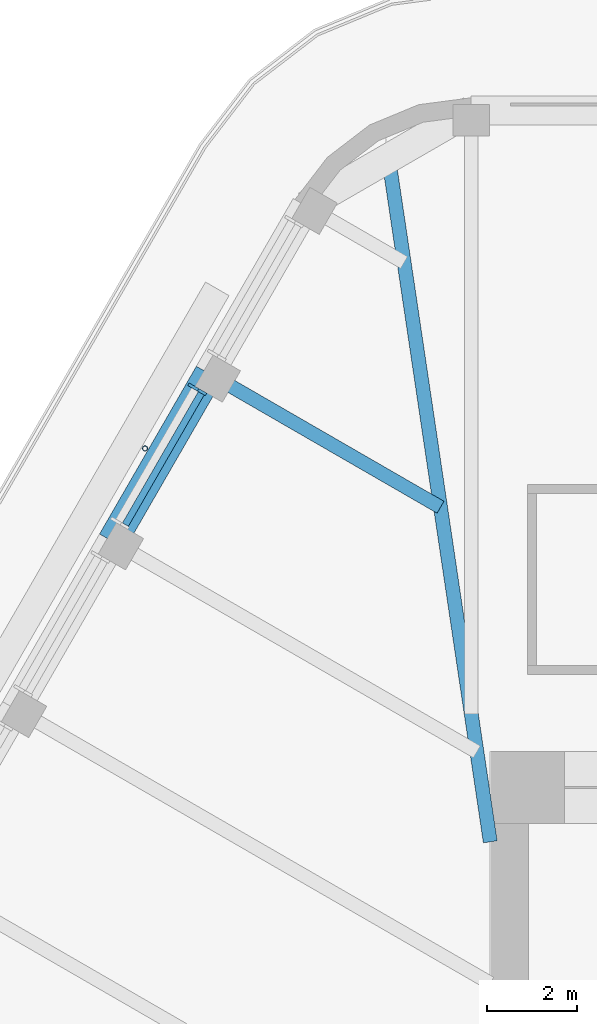
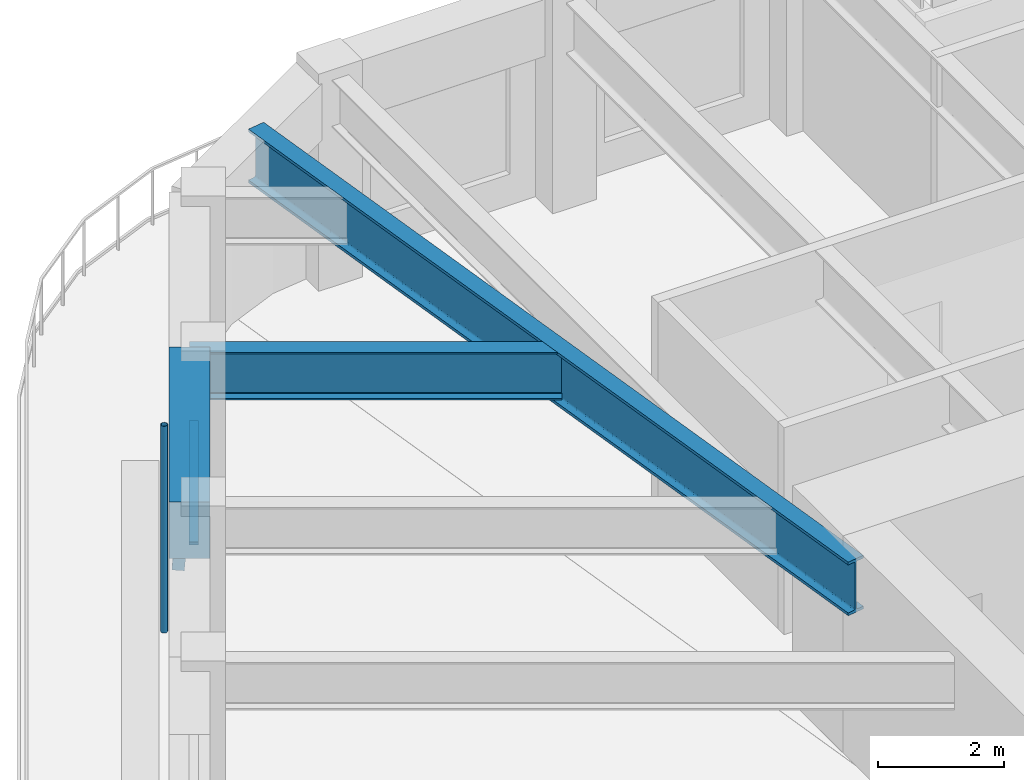
# One storey, part 8 of 19: 3 beams, 3 members, 1 element without a shape of its own.
"""IFC4 building model written with IfcOpenShell, lengths in metres."""

from ifc_helpers import new_model, si_unit, direction, frame, origin, origin_2d, place, context, subcontext, project, spatial, rectangle, hollow_circle, i_section, extrude, material, material_profile, profile_set, type_object, element, aggregate, save


model = new_model("IFC4")

# Units and contexts
model_context = context("Model", 3, precision=1e-05, world=origin(), true_north=direction((0.0, 1.0)))
body_context = subcontext(model_context, "Body", "Model", "MODEL_VIEW")
ifc_project = project(units=[si_unit("LENGTHUNIT", "METRE"), si_unit("AREAUNIT", "SQUARE_METRE"), si_unit("VOLUMEUNIT", "CUBIC_METRE"), si_unit("PLANEANGLEUNIT", "RADIAN"), si_unit("MASSUNIT", "GRAM", prefix="KILO")], contexts=[model_context])

# Site, building, storey
site_placement = place(None, origin())
site = spatial("IfcSite", under=ifc_project, at=site_placement, CompositionType="ELEMENT")
building_placement = place(site_placement, origin())
building = spatial("IfcBuilding", under=site, at=building_placement, Name="Tarfa Lantern Tower", CompositionType="ELEMENT")
storey_placement = place(building_placement, frame((0.0, 0.0, 374.5)))
storey = spatial("IfcBuildingStorey", under=building, at=storey_placement, Name="L85", CompositionType="ELEMENT", Elevation=374.5)

# Curtain wall, members
ifc_material_1 = material(Name="Aluminium framed curtain wall", Category="aluminium")
curtain_wall_type = type_object("IfcCurtainWallType", Name="CW4 CANTED GLAZING EXECUTIVE ZONE 2900", PredefinedType="USERDEFINED", material=ifc_material_1)
curtain_wall_placement = place(storey_placement, origin())
curtain_wall = element("IfcCurtainWall", 1, at=curtain_wall_placement, inside=storey, type_object=curtain_wall_type, Name="CW4 NW L85", ObjectType="CURTAIN WALL", PredefinedType="USERDEFINED")
ifc_material_2 = material(Name="Aluminium mullion", Category="aluminium")
ifc_material_profile_1 = material_profile(ifc_material_2, rectangle(XDim=0.06494140625, YDim=0.199951171875, at=origin_2d()), Name="AL MULLION 65x200")
ifc_profile_set_1 = profile_set([ifc_material_profile_1], Name="Aluminium mullion")
member_type_1 = type_object("IfcMemberType", Name="CWM1 MULLION 65x200", PredefinedType="MULLION", material=ifc_profile_set_1)
member_1_placement = place(storey_placement, frame((-19.013916015625, 20.3671875, 0.0), z_axis=(0.074399820079, -0.042945555672, 0.996303340364), x_axis=(0.499919672301, 0.866071776036, 0.0)))
member_1 = element("IfcMember", 2, at=member_1_placement, type_object=member_type_1, Name="CW4 mullion 1", PredefinedType="MULLION", context=body_context, shape_type="SweptSolid", body=[
    extrude(rectangle(XDim=0.06494140625, YDim=0.199951171875, at=origin_2d()), origin(), (0.0, 0.0, 1.0), 2.91064453125),
])
ifc_material_3 = material(Name="Aluminium transom", Category="aluminium")
ifc_material_profile_2 = material_profile(ifc_material_3, rectangle(XDim=0.14990234375, YDim=0.06494140625, at=origin_2d()), Name="AL TRANSOM 150x65")
ifc_profile_set_2 = profile_set([ifc_material_profile_2], Name="Aluminium transom")
member_type_2 = type_object("IfcMemberType", Name="CWT1 TRANSOM 150x65", PredefinedType="USERDEFINED", material=ifc_profile_set_2)
member_2_placement = place(storey_placement, frame((-18.81591796875, 20.21533203125, 2.867431640625), z_axis=(-0.500016677412, -0.866015774862, 0.0), x_axis=(0.866015774862, -0.500016677412, 0.0)))
member_2 = element("IfcMember", 3, at=member_2_placement, type_object=member_type_2, Name="CW4 transom 1.2", ObjectType="TRANSOM", PredefinedType="USERDEFINED", context=body_context, shape_type="SweptSolid", body=[
    extrude(rectangle(XDim=0.14990234375, YDim=0.06494140625, at=origin_2d()), origin(), (0.0, 0.0, 1.0), 3.35205078125),
])
aggregate(curtain_wall, [member_1, member_2])

# Beam
ifc_material_4 = material(Name="Concrete C80/95", Category="concrete")
ifc_material_profile_3 = material_profile(ifc_material_4, rectangle(XDim=0.64990234375, YDim=1.10009765625, at=origin_2d()), Name="RC 650x1100")
ifc_profile_set_3 = profile_set([ifc_material_profile_3], Name="Concrete C80/95")
beam_type_1 = type_object("IfcBeamType", Name="EB4 RC 650x1100", PredefinedType="SPANDREL", material=ifc_profile_set_3)
beam_1_placement = place(storey_placement, frame((-18.6416015625, 20.651611328125, 3.449951171875), z_axis=(-0.500026801138, -0.866009929587, 0.0), x_axis=(0.866009929587, -0.500026801138, 0.0)))
element("IfcBeam", 4, at=beam_1_placement, inside=storey, type_object=beam_type_1, Name="Edge beam NW1", PredefinedType="SPANDREL", context=body_context, shape_type="SweptSolid", body=[
    extrude(rectangle(XDim=0.64990234375, YDim=1.10009765625, at=origin_2d()), origin(), (0.0, 0.0, 1.0), 4.281982421875),
])

# Member
ifc_material_5 = material(Name="Steel S355", Category="steel")
ifc_material_profile_4 = material_profile(ifc_material_5, hollow_circle(Radius=0.05712890625, WallThickness=0.00634765625, at=origin_2d()), Name="CHS114.3x6.3")
ifc_profile_set_4 = profile_set([ifc_material_profile_4], Name="Steel S355")
member_type_3 = type_object("IfcMemberType", Name="TR1 GREEN WALL TRELLIS CHS114.3x6.3", PredefinedType="USERDEFINED", material=ifc_profile_set_4)
member_3_placement = place(storey_placement, frame((-20.05859375, 18.99755859375, 0.0), z_axis=(0.0, 0.0, 1.0), x_axis=(1.0, 0.0, 0.0)))
element("IfcMember", 5, at=member_3_placement, inside=storey, type_object=member_type_3, Name="Trellis post NW 1", ObjectType="TRELLIS", PredefinedType="USERDEFINED", context=body_context, shape_type="SweptSolid", body=[
    extrude(hollow_circle(Radius=0.05712890625, WallThickness=0.00634765625, at=origin_2d()), origin(), (0.0, 0.0, 1.0), 4.0),
])

# Beams
ifc_material_6 = material(Name="Steel S460M", Category="steel")
ifc_material_profile_5 = material_profile(ifc_material_6, i_section(OverallWidth=0.30859375, OverallDepth=1.036376953125, WebThickness=0.030029296875, FlangeThickness=0.05419921875, FilletRadius=0.030029296875, at=origin_2d()), Name="UB1016x305x487")
ifc_profile_set_5 = profile_set([ifc_material_profile_5], Name="Steel S460M")
beam_type_2 = type_object("IfcBeamType", Name="UB1016x305x487", PredefinedType="BEAM", material=ifc_profile_set_5)
beam_2_placement = place(storey_placement, frame((-12.425048828125, 10.300048828125, 3.48193359375), z_axis=(-0.147127069073, 0.989117599452, 0.0), x_axis=(-0.989117599452, -0.147127069073, 0.0)))
element("IfcBeam", 6, at=beam_2_placement, inside=storey, type_object=beam_type_2, Name="Hip girder NW", PredefinedType="BEAM", context=body_context, shape_type="SweptSolid", body=[
    extrude(i_section(OverallWidth=0.30859375, OverallDepth=1.036376953125, WebThickness=0.030029296875, FlangeThickness=0.05419921875, FilletRadius=0.030029296875, at=origin_2d()), origin(), (0.0, 0.0, 1.0), 15.28125),
])
ifc_material_profile_6 = material_profile(ifc_material_6, i_section(OverallWidth=0.305419921875, OverallDepth=0.91845703125, WebThickness=0.017333984375, FlangeThickness=0.02783203125, FilletRadius=0.01904296875, at=origin_2d()), Name="UB914x305x253")
ifc_profile_set_6 = profile_set([ifc_material_profile_6], Name="Steel S460M")
beam_type_3 = type_object("IfcBeamType", Name="UB914x305x253", PredefinedType="BEAM", material=ifc_profile_set_6)
beam_3_placement = place(storey_placement, frame((-18.6416015625, 20.651611328125, 3.540771484375), z_axis=(0.866024549157, -0.500001480256, 0.0), x_axis=(0.500001480256, 0.866024549157, 0.0)))
element("IfcBeam", 7, at=beam_3_placement, inside=storey, type_object=beam_type_3, Name="Floor beam NW1", PredefinedType="BEAM", context=body_context, shape_type="SweptSolid", body=[
    extrude(i_section(OverallWidth=0.305419921875, OverallDepth=0.91845703125, WebThickness=0.017333984375, FlangeThickness=0.02783203125, FilletRadius=0.01904296875, at=origin_2d()), origin(), (0.0, 0.0, 1.0), 5.90771484375),
])

save(model, "model.ifc")
